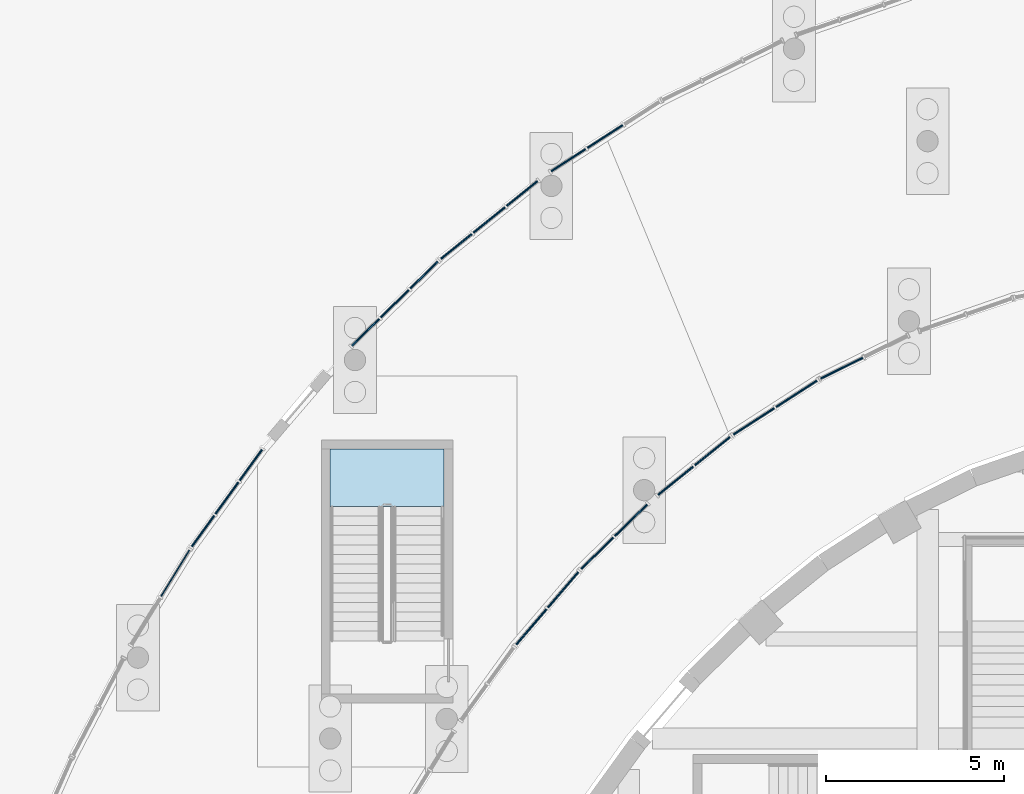
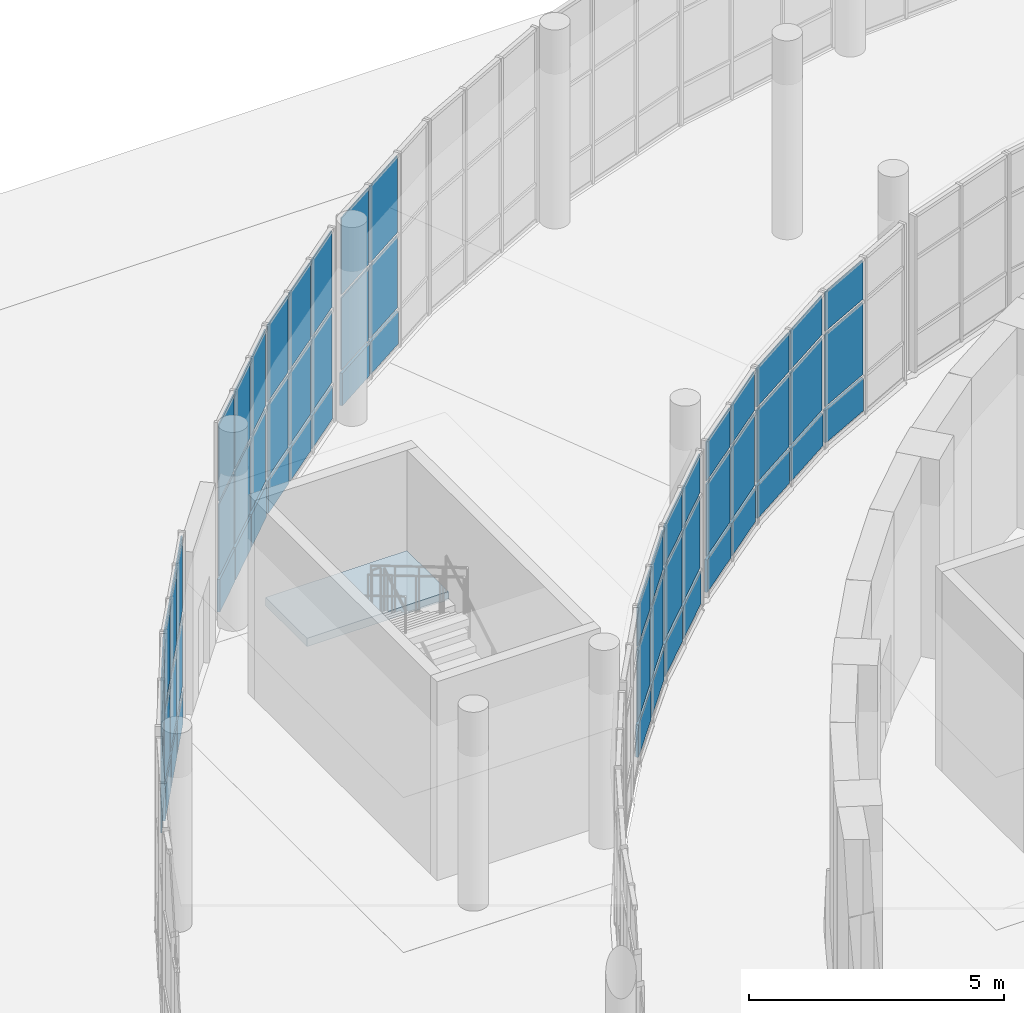
# One storey, part 48 of 110: 62 plates, 1 slab, 11 elements without a shape of their own.
"""IFC4 building model written with IfcOpenShell, lengths in metres."""

from ifc_helpers import new_model, si_unit, direction, frame, origin, origin_2d, place, context, subcontext, project, spatial, polyline, rectangle, outline, extrude, material, layer, layer_set, type_object, element, aggregate, save


model = new_model("IFC4")

# Units and contexts
model_context = context("Model", 3, precision=1e-05, world=origin(), true_north=direction((0.0, 1.0)))
body_context = subcontext(model_context, "Body", "Model", "MODEL_VIEW")
ifc_project = project(units=[si_unit("LENGTHUNIT", "METRE"), si_unit("AREAUNIT", "SQUARE_METRE"), si_unit("VOLUMEUNIT", "CUBIC_METRE"), si_unit("PLANEANGLEUNIT", "RADIAN"), si_unit("MASSUNIT", "GRAM", prefix="KILO")], contexts=[model_context])

# Site, building, storey
site_placement = place(None, origin())
site = spatial("IfcSite", under=ifc_project, at=site_placement, CompositionType="ELEMENT")
building_placement = place(site_placement, origin())
building = spatial("IfcBuilding", under=site, at=building_placement, Name="Larchfold Concert Hall", CompositionType="ELEMENT")
storey_placement = place(building_placement, origin())
storey = spatial("IfcBuildingStorey", under=building, at=storey_placement, Name="L00", CompositionType="ELEMENT", Elevation=0.0)

# Curtain wall, plates
ifc_material_1 = material(Name="Anodised graphite aluminium curtain wall", Category="aluminium")
ifc_layer_1 = layer(ifc_material_1, 0.14990234375)
ifc_layer_set_1 = layer_set([ifc_layer_1], Name="Anodised graphite aluminium curtain wall")
curtain_wall_type = type_object("IfcCurtainWallType", Name="Curtain wall WG", PredefinedType="NOTDEFINED", material=ifc_layer_set_1)
curtain_wall_1_placement = place(storey_placement, origin())
curtain_wall_1 = element("IfcCurtainWall", 1, at=curtain_wall_1_placement, inside=storey, type_object=curtain_wall_type, Name="Curtain wall CW0082", PredefinedType="NOTDEFINED")
ifc_material_2 = material(Name="Insulated glazing unit, glass", Category="glass")
ifc_layer_2 = layer(ifc_material_2, 0.028076171875)
ifc_layer_set_2 = layer_set([ifc_layer_2], Name="Insulated glazing unit, glass")
plate_type_1 = type_object("IfcPlateType", Name="Glass panel 28", PredefinedType="CURTAIN_PANEL", material=ifc_layer_set_2)
plate_1_placement = place(storey_placement, frame((23.057861328125, 112.9404296875, 0.93994140625), z_axis=(0.0, 0.0, 1.0), x_axis=(0.650511975245, 0.759495997398, 0.0)))
plate_1 = element("IfcPlate", 2, at=plate_1_placement, type_object=plate_type_1, Name="CW0082 panel 1.2", PredefinedType="CURTAIN_PANEL", context=body_context, shape_type="SweptSolid", body=[
    extrude(rectangle(XDim=1.3134765625, YDim=0.028076171875, at=origin_2d()), origin(), (0.0, 0.0, 1.0), 1.719970703125),
])
plate_2_placement = place(storey_placement, frame((23.057861328125, 112.9404296875, 2.740234375), z_axis=(0.0, 0.0, 1.0), x_axis=(0.650511975245, 0.759495997398, 0.0)))
plate_2 = element("IfcPlate", 3, at=plate_2_placement, type_object=plate_type_1, Name="CW0082 panel 1.3", PredefinedType="CURTAIN_PANEL", context=body_context, shape_type="SweptSolid", body=[
    extrude(rectangle(XDim=1.3134765625, YDim=0.028076171875, at=origin_2d()), origin(), (0.0, 0.0, 1.0), 0.929931640625),
])
plate_3_placement = place(storey_placement, frame((23.951171875, 113.9833984375, 0.93994140625), z_axis=(0.0, 0.0, 1.0), x_axis=(0.650511975245, 0.759495997398, 0.0)))
plate_3 = element("IfcPlate", 4, at=plate_3_placement, type_object=plate_type_1, Name="CW0082 panel 2.2", PredefinedType="CURTAIN_PANEL", context=body_context, shape_type="SweptSolid", body=[
    extrude(rectangle(XDim=1.3134765625, YDim=0.028076171875, at=origin_2d()), origin(), (0.0, 0.0, 1.0), 1.719970703125),
])
plate_4_placement = place(storey_placement, frame((23.951171875, 113.9833984375, 2.740234375), z_axis=(0.0, 0.0, 1.0), x_axis=(0.650511975245, 0.759495997398, 0.0)))
plate_4 = element("IfcPlate", 5, at=plate_4_placement, type_object=plate_type_1, Name="CW0082 panel 2.3", PredefinedType="CURTAIN_PANEL", context=body_context, shape_type="SweptSolid", body=[
    extrude(rectangle(XDim=1.3134765625, YDim=0.028076171875, at=origin_2d()), origin(), (0.0, 0.0, 1.0), 0.929931640625),
])

curtain_wall_2_placement = place(storey_placement, origin())
curtain_wall_2 = element("IfcCurtainWall", 6, at=curtain_wall_2_placement, inside=storey, type_object=curtain_wall_type, Name="Curtain wall CW0083", PredefinedType="NOTDEFINED")
plate_5_placement = place(storey_placement, frame((24.912841796875, 115.01220703125, 0.93994140625), z_axis=(0.0, 0.0, 1.0), x_axis=(0.715031677223, 0.69909205443, 0.0)))
plate_5 = element("IfcPlate", 7, at=plate_5_placement, type_object=plate_type_1, Name="CW0083 panel 1.2", PredefinedType="CURTAIN_PANEL", context=body_context, shape_type="SweptSolid", body=[
    extrude(rectangle(XDim=1.265625, YDim=0.028076171875, at=origin_2d()), origin(), (0.0, 0.0, 1.0), 1.719970703125),
])
plate_6_placement = place(storey_placement, frame((24.912841796875, 115.01220703125, 2.740234375), z_axis=(0.0, 0.0, 1.0), x_axis=(0.715031677223, 0.69909205443, 0.0)))
plate_6 = element("IfcPlate", 8, at=plate_6_placement, type_object=plate_type_1, Name="CW0083 panel 1.3", PredefinedType="CURTAIN_PANEL", context=body_context, shape_type="SweptSolid", body=[
    extrude(rectangle(XDim=1.265625, YDim=0.028076171875, at=origin_2d()), origin(), (0.0, 0.0, 1.0), 0.929931640625),
])
plate_7_placement = place(storey_placement, frame((25.860595703125, 115.938720703125, 0.93994140625), z_axis=(0.0, 0.0, 1.0), x_axis=(0.715031677223, 0.69909205443, 0.0)))
plate_7 = element("IfcPlate", 9, at=plate_7_placement, type_object=plate_type_1, Name="CW0083 panel 2.2", PredefinedType="CURTAIN_PANEL", context=body_context, shape_type="SweptSolid", body=[
    extrude(rectangle(XDim=1.265625, YDim=0.028076171875, at=origin_2d()), origin(), (0.0, 0.0, 1.0), 1.719970703125),
])
plate_8_placement = place(storey_placement, frame((25.860595703125, 115.938720703125, 2.740234375), z_axis=(0.0, 0.0, 1.0), x_axis=(0.715031677223, 0.69909205443, 0.0)))
plate_8 = element("IfcPlate", 10, at=plate_8_placement, type_object=plate_type_1, Name="CW0083 panel 2.3", PredefinedType="CURTAIN_PANEL", context=body_context, shape_type="SweptSolid", body=[
    extrude(rectangle(XDim=1.265625, YDim=0.028076171875, at=origin_2d()), origin(), (0.0, 0.0, 1.0), 0.929931640625),
])

curtain_wall_3_placement = place(storey_placement, origin())
curtain_wall_3 = element("IfcCurtainWall", 11, at=curtain_wall_3_placement, inside=storey, type_object=curtain_wall_type, Name="Curtain wall CW0084", PredefinedType="NOTDEFINED")
plate_9_placement = place(storey_placement, frame((27.11376953125, 117.04931640625, 0.93994140625), z_axis=(0.0, 0.0, 1.0), x_axis=(0.779068419245, 0.626938911007, 0.0)))
plate_9 = element("IfcPlate", 12, at=plate_9_placement, type_object=plate_type_1, Name="CW0084 panel 1.2", PredefinedType="CURTAIN_PANEL", context=body_context, shape_type="SweptSolid", body=[
    extrude(rectangle(XDim=1.2685546875, YDim=0.028076171875, at=origin_2d()), origin(), (0.0, 0.0, 1.0), 1.719970703125),
])
plate_10_placement = place(storey_placement, frame((27.11376953125, 117.04931640625, 2.740234375), z_axis=(0.0, 0.0, 1.0), x_axis=(0.779068419245, 0.626938911007, 0.0)))
plate_10 = element("IfcPlate", 13, at=plate_10_placement, type_object=plate_type_1, Name="CW0084 panel 1.3", PredefinedType="CURTAIN_PANEL", context=body_context, shape_type="SweptSolid", body=[
    extrude(rectangle(XDim=1.2685546875, YDim=0.028076171875, at=origin_2d()), origin(), (0.0, 0.0, 1.0), 0.929931640625),
])
plate_11_placement = place(storey_placement, frame((28.14892578125, 117.882080078125, 0.93994140625), z_axis=(0.0, 0.0, 1.0), x_axis=(0.779068419245, 0.626938911007, 0.0)))
plate_11 = element("IfcPlate", 14, at=plate_11_placement, type_object=plate_type_1, Name="CW0084 panel 2.2", PredefinedType="CURTAIN_PANEL", context=body_context, shape_type="SweptSolid", body=[
    extrude(rectangle(XDim=1.2685546875, YDim=0.028076171875, at=origin_2d()), origin(), (0.0, 0.0, 1.0), 1.719970703125),
])
plate_12_placement = place(storey_placement, frame((28.14892578125, 117.882080078125, 2.740234375), z_axis=(0.0, 0.0, 1.0), x_axis=(0.779068419245, 0.626938911007, 0.0)))
plate_12 = element("IfcPlate", 15, at=plate_12_placement, type_object=plate_type_1, Name="CW0084 panel 2.3", PredefinedType="CURTAIN_PANEL", context=body_context, shape_type="SweptSolid", body=[
    extrude(rectangle(XDim=1.2685546875, YDim=0.028076171875, at=origin_2d()), origin(), (0.0, 0.0, 1.0), 0.929931640625),
])

curtain_wall_4_placement = place(storey_placement, origin())
curtain_wall_4 = element("IfcCurtainWall", 16, at=curtain_wall_4_placement, inside=storey, type_object=curtain_wall_type, Name="Curtain wall CW0085", PredefinedType="NOTDEFINED")
plate_13_placement = place(storey_placement, frame((29.31494140625, 118.720458984375, 0.93994140625), z_axis=(0.0, 0.0, 1.0), x_axis=(0.840478683813, 0.541844610619, 0.0)))
plate_13 = element("IfcPlate", 17, at=plate_13_placement, type_object=plate_type_1, Name="CW0085 panel 1.2", PredefinedType="CURTAIN_PANEL", context=body_context, shape_type="SweptSolid", body=[
    extrude(rectangle(XDim=1.3681640625, YDim=0.028076171875, at=origin_2d()), origin(), (0.0, 0.0, 1.0), 1.719970703125),
])
plate_14_placement = place(storey_placement, frame((29.31494140625, 118.720458984375, 2.740234375), z_axis=(0.0, 0.0, 1.0), x_axis=(0.840478683813, 0.541844610619, 0.0)))
plate_14 = element("IfcPlate", 18, at=plate_14_placement, type_object=plate_type_1, Name="CW0085 panel 1.3", PredefinedType="CURTAIN_PANEL", context=body_context, shape_type="SweptSolid", body=[
    extrude(rectangle(XDim=1.3681640625, YDim=0.028076171875, at=origin_2d()), origin(), (0.0, 0.0, 1.0), 0.929931640625),
])
plate_15_placement = place(storey_placement, frame((30.515380859375, 119.494384765625, 0.93994140625), z_axis=(0.0, 0.0, 1.0), x_axis=(0.840478683813, 0.541844610619, 0.0)))
plate_15 = element("IfcPlate", 19, at=plate_15_placement, type_object=plate_type_1, Name="CW0085 panel 2.2", PredefinedType="CURTAIN_PANEL", context=body_context, shape_type="SweptSolid", body=[
    extrude(rectangle(XDim=1.3681640625, YDim=0.028076171875, at=origin_2d()), origin(), (0.0, 0.0, 1.0), 1.719970703125),
])
plate_16_placement = place(storey_placement, frame((30.515380859375, 119.494384765625, 2.740234375), z_axis=(0.0, 0.0, 1.0), x_axis=(0.840478683813, 0.541844610619, 0.0)))
plate_16 = element("IfcPlate", 20, at=plate_16_placement, type_object=plate_type_1, Name="CW0085 panel 2.3", PredefinedType="CURTAIN_PANEL", context=body_context, shape_type="SweptSolid", body=[
    extrude(rectangle(XDim=1.3681640625, YDim=0.028076171875, at=origin_2d()), origin(), (0.0, 0.0, 1.0), 0.929931640625),
])

curtain_wall_5_placement = place(storey_placement, origin())
curtain_wall_5 = element("IfcCurtainWall", 21, at=curtain_wall_5_placement, inside=storey, type_object=curtain_wall_type, Name="Curtain wall CW0086", PredefinedType="NOTDEFINED")
plate_17_placement = place(storey_placement, frame((31.788330078125, 120.216796875, 0.93994140625), z_axis=(0.0, 0.0, 1.0), x_axis=(0.896864773907, 0.442304846598, 0.0)))
plate_17 = element("IfcPlate", 22, at=plate_17_placement, type_object=plate_type_1, Name="CW0086 panel 1.2", PredefinedType="CURTAIN_PANEL", context=body_context, shape_type="SweptSolid", body=[
    extrude(rectangle(XDim=1.324462890625, YDim=0.028076171875, at=origin_2d()), origin(), (0.0, 0.0, 1.0), 1.719970703125),
])
plate_18_placement = place(storey_placement, frame((31.788330078125, 120.216796875, 2.740234375), z_axis=(0.0, 0.0, 1.0), x_axis=(0.896864773907, 0.442304846598, 0.0)))
plate_18 = element("IfcPlate", 23, at=plate_18_placement, type_object=plate_type_1, Name="CW0086 panel 1.3", PredefinedType="CURTAIN_PANEL", context=body_context, shape_type="SweptSolid", body=[
    extrude(rectangle(XDim=1.324462890625, YDim=0.028076171875, at=origin_2d()), origin(), (0.0, 0.0, 1.0), 0.929931640625),
])

curtain_wall_6_placement = place(storey_placement, origin())
curtain_wall_6 = element("IfcCurtainWall", 24, at=curtain_wall_6_placement, inside=storey, type_object=curtain_wall_type, Name="Curtain wall CW0105", PredefinedType="NOTDEFINED")
plate_19_placement = place(storey_placement, frame((25.130126953125, 126.730712890625, 0.93994140625), z_axis=(0.0, 0.0, 1.0), x_axis=(-0.840531289651, -0.541763002722, 0.0)))
plate_19 = element("IfcPlate", 25, at=plate_19_placement, type_object=plate_type_1, Name="CW0105 panel 2.2", PredefinedType="CURTAIN_PANEL", context=body_context, shape_type="SweptSolid", body=[
    extrude(rectangle(XDim=1.18310546875, YDim=0.028076171875, at=origin_2d()), origin(), (0.0, 0.0, 1.0), 1.719970703125),
])
plate_20_placement = place(storey_placement, frame((25.130126953125, 126.730712890625, 2.740234375), z_axis=(0.0, 0.0, 1.0), x_axis=(-0.840531289651, -0.541763002722, 0.0)))
plate_20 = element("IfcPlate", 26, at=plate_20_placement, type_object=plate_type_1, Name="CW0105 panel 2.3", PredefinedType="CURTAIN_PANEL", context=body_context, shape_type="SweptSolid", body=[
    extrude(rectangle(XDim=1.18310546875, YDim=0.028076171875, at=origin_2d()), origin(), (0.0, 0.0, 1.0), 1.829833984375),
])
plate_21_placement = place(storey_placement, frame((24.097900390625, 126.0654296875, 0.93994140625), z_axis=(0.0, 0.0, 1.0), x_axis=(-0.840531289651, -0.541763002722, 0.0)))
plate_21 = element("IfcPlate", 27, at=plate_21_placement, type_object=plate_type_1, Name="CW0105 panel 3.2", PredefinedType="CURTAIN_PANEL", context=body_context, shape_type="SweptSolid", body=[
    extrude(rectangle(XDim=1.153076171875, YDim=0.028076171875, at=origin_2d()), origin(), (0.0, 0.0, 1.0), 1.719970703125),
])
plate_22_placement = place(storey_placement, frame((24.097900390625, 126.0654296875, 2.740234375), z_axis=(0.0, 0.0, 1.0), x_axis=(-0.840531289651, -0.541763002722, 0.0)))
plate_22 = element("IfcPlate", 28, at=plate_22_placement, type_object=plate_type_1, Name="CW0105 panel 3.3", PredefinedType="CURTAIN_PANEL", context=body_context, shape_type="SweptSolid", body=[
    extrude(rectangle(XDim=1.153076171875, YDim=0.028076171875, at=origin_2d()), origin(), (0.0, 0.0, 1.0), 1.829833984375),
])

curtain_wall_7_placement = place(storey_placement, origin())
curtain_wall_7 = element("IfcCurtainWall", 29, at=curtain_wall_7_placement, inside=storey, type_object=curtain_wall_type, Name="Curtain wall CW0106", PredefinedType="NOTDEFINED")
plate_23_placement = place(storey_placement, frame((22.79736328125, 125.1279296875, 0.93994140625), z_axis=(0.0, 0.0, 1.0), x_axis=(-0.779030225774, -0.626986369334, 0.0)))
plate_23 = element("IfcPlate", 30, at=plate_23_placement, type_object=plate_type_1, Name="CW0106 panel 1.2", PredefinedType="CURTAIN_PANEL", context=body_context, shape_type="SweptSolid", body=[
    extrude(rectangle(XDim=1.11279296875, YDim=0.028076171875, at=origin_2d()), origin(), (0.0, 0.0, 1.0), 1.719970703125),
])
plate_24_placement = place(storey_placement, frame((22.79736328125, 125.1279296875, 2.740234375), z_axis=(0.0, 0.0, 1.0), x_axis=(-0.779030225774, -0.626986369334, 0.0)))
plate_24 = element("IfcPlate", 31, at=plate_24_placement, type_object=plate_type_1, Name="CW0106 panel 1.3", PredefinedType="CURTAIN_PANEL", context=body_context, shape_type="SweptSolid", body=[
    extrude(rectangle(XDim=1.11279296875, YDim=0.028076171875, at=origin_2d()), origin(), (0.0, 0.0, 1.0), 1.829833984375),
])
plate_25_placement = place(storey_placement, frame((21.872314453125, 124.38330078125, 0.93994140625), z_axis=(0.0, 0.0, 1.0), x_axis=(-0.779030225774, -0.626986369334, 0.0)))
plate_25 = element("IfcPlate", 32, at=plate_25_placement, type_object=plate_type_1, Name="CW0106 panel 2.2", PredefinedType="CURTAIN_PANEL", context=body_context, shape_type="SweptSolid", body=[
    extrude(rectangle(XDim=1.142578125, YDim=0.028076171875, at=origin_2d()), origin(), (0.0, 0.0, 1.0), 1.719970703125),
])
plate_26_placement = place(storey_placement, frame((21.872314453125, 124.38330078125, 2.740234375), z_axis=(0.0, 0.0, 1.0), x_axis=(-0.779030225774, -0.626986369334, 0.0)))
plate_26 = element("IfcPlate", 33, at=plate_26_placement, type_object=plate_type_1, Name="CW0106 panel 2.3", PredefinedType="CURTAIN_PANEL", context=body_context, shape_type="SweptSolid", body=[
    extrude(rectangle(XDim=1.142578125, YDim=0.028076171875, at=origin_2d()), origin(), (0.0, 0.0, 1.0), 1.829833984375),
])
plate_27_placement = place(storey_placement, frame((20.947021484375, 123.638671875, 0.93994140625), z_axis=(0.0, 0.0, 1.0), x_axis=(-0.779030225774, -0.626986369334, 0.0)))
plate_27 = element("IfcPlate", 34, at=plate_27_placement, type_object=plate_type_1, Name="CW0106 panel 3.2", PredefinedType="CURTAIN_PANEL", context=body_context, shape_type="SweptSolid", body=[
    extrude(rectangle(XDim=1.11279296875, YDim=0.028076171875, at=origin_2d()), origin(), (0.0, 0.0, 1.0), 1.719970703125),
])
plate_28_placement = place(storey_placement, frame((20.947021484375, 123.638671875, 2.740234375), z_axis=(0.0, 0.0, 1.0), x_axis=(-0.779030225774, -0.626986369334, 0.0)))
plate_28 = element("IfcPlate", 35, at=plate_28_placement, type_object=plate_type_1, Name="CW0106 panel 3.3", PredefinedType="CURTAIN_PANEL", context=body_context, shape_type="SweptSolid", body=[
    extrude(rectangle(XDim=1.11279296875, YDim=0.028076171875, at=origin_2d()), origin(), (0.0, 0.0, 1.0), 1.829833984375),
])

curtain_wall_8_placement = place(storey_placement, origin())
curtain_wall_8 = element("IfcCurtainWall", 36, at=curtain_wall_8_placement, inside=storey, type_object=curtain_wall_type, Name="Curtain wall CW0107", PredefinedType="NOTDEFINED")
plate_29_placement = place(storey_placement, frame((20.0390625, 122.833984375, 0.93994140625), z_axis=(0.0, 0.0, 1.0), x_axis=(-0.714946988038, -0.699178664074, 0.0)))
plate_29 = element("IfcPlate", 37, at=plate_29_placement, type_object=plate_type_1, Name="CW0107 panel 1.2", PredefinedType="CURTAIN_PANEL", context=body_context, shape_type="SweptSolid", body=[
    extrude(rectangle(XDim=1.076416015625, YDim=0.028076171875, at=origin_2d()), origin(), (0.0, 0.0, 1.0), 1.719970703125),
])
plate_30_placement = place(storey_placement, frame((20.0390625, 122.833984375, 2.740234375), z_axis=(0.0, 0.0, 1.0), x_axis=(-0.714946988038, -0.699178664074, 0.0)))
plate_30 = element("IfcPlate", 38, at=plate_30_placement, type_object=plate_type_1, Name="CW0107 panel 1.3", PredefinedType="CURTAIN_PANEL", context=body_context, shape_type="SweptSolid", body=[
    extrude(rectangle(XDim=1.076416015625, YDim=0.028076171875, at=origin_2d()), origin(), (0.0, 0.0, 1.0), 1.829833984375),
])
plate_31_placement = place(storey_placement, frame((19.216064453125, 122.02880859375, 0.93994140625), z_axis=(0.0, 0.0, 1.0), x_axis=(-0.714946988038, -0.699178664074, 0.0)))
plate_31 = element("IfcPlate", 39, at=plate_31_placement, type_object=plate_type_1, Name="CW0107 panel 2.2", PredefinedType="CURTAIN_PANEL", context=body_context, shape_type="SweptSolid", body=[
    extrude(rectangle(XDim=1.1064453125, YDim=0.028076171875, at=origin_2d()), origin(), (0.0, 0.0, 1.0), 1.719970703125),
])
plate_32_placement = place(storey_placement, frame((19.216064453125, 122.02880859375, 2.740234375), z_axis=(0.0, 0.0, 1.0), x_axis=(-0.714946988038, -0.699178664074, 0.0)))
plate_32 = element("IfcPlate", 40, at=plate_32_placement, type_object=plate_type_1, Name="CW0107 panel 2.3", PredefinedType="CURTAIN_PANEL", context=body_context, shape_type="SweptSolid", body=[
    extrude(rectangle(XDim=1.1064453125, YDim=0.028076171875, at=origin_2d()), origin(), (0.0, 0.0, 1.0), 1.829833984375),
])
plate_33_placement = place(storey_placement, frame((18.392822265625, 121.223876953125, 0.93994140625), z_axis=(0.0, 0.0, 1.0), x_axis=(-0.714946988038, -0.699178664074, 0.0)))
plate_33 = element("IfcPlate", 41, at=plate_33_placement, type_object=plate_type_1, Name="CW0107 panel 3.2", PredefinedType="CURTAIN_PANEL", context=body_context, shape_type="SweptSolid", body=[
    extrude(rectangle(XDim=1.076416015625, YDim=0.028076171875, at=origin_2d()), origin(), (0.0, 0.0, 1.0), 1.719970703125),
])
plate_34_placement = place(storey_placement, frame((18.392822265625, 121.223876953125, 2.740234375), z_axis=(0.0, 0.0, 1.0), x_axis=(-0.714946988038, -0.699178664074, 0.0)))
plate_34 = element("IfcPlate", 42, at=plate_34_placement, type_object=plate_type_1, Name="CW0107 panel 3.3", PredefinedType="CURTAIN_PANEL", context=body_context, shape_type="SweptSolid", body=[
    extrude(rectangle(XDim=1.076416015625, YDim=0.028076171875, at=origin_2d()), origin(), (0.0, 0.0, 1.0), 1.829833984375),
])

curtain_wall_9_placement = place(storey_placement, origin())
curtain_wall_9 = element("IfcCurtainWall", 43, at=curtain_wall_9_placement, inside=storey, type_object=curtain_wall_type, Name="Curtain wall CW0108", PredefinedType="NOTDEFINED")
plate_35_placement = place(storey_placement, frame((15.16845703125, 117.489990234375, 0.93994140625), z_axis=(0.0, 0.0, 1.0), x_axis=(-0.586641382541, -0.809846830142, 0.0)))
plate_35 = element("IfcPlate", 44, at=plate_35_placement, type_object=plate_type_1, Name="CW0108 panel 1.2", PredefinedType="CURTAIN_PANEL", context=body_context, shape_type="SweptSolid", body=[
    extrude(rectangle(XDim=1.0712890625, YDim=0.028076171875, at=origin_2d()), origin(), (0.0, 0.0, 1.0), 1.719970703125),
])
plate_36_placement = place(storey_placement, frame((15.16845703125, 117.489990234375, 2.740234375), z_axis=(0.0, 0.0, 1.0), x_axis=(-0.586641382541, -0.809846830142, 0.0)))
plate_36 = element("IfcPlate", 45, at=plate_36_placement, type_object=plate_type_1, Name="CW0108 panel 1.3", PredefinedType="CURTAIN_PANEL", context=body_context, shape_type="SweptSolid", body=[
    extrude(rectangle(XDim=1.0712890625, YDim=0.028076171875, at=origin_2d()), origin(), (0.0, 0.0, 1.0), 1.829833984375),
])
plate_37_placement = place(storey_placement, frame((14.49609375, 116.561767578125, 0.93994140625), z_axis=(0.0, 0.0, 1.0), x_axis=(-0.586641382541, -0.809846830142, 0.0)))
plate_37 = element("IfcPlate", 46, at=plate_37_placement, type_object=plate_type_1, Name="CW0108 panel 2.2", PredefinedType="CURTAIN_PANEL", context=body_context, shape_type="SweptSolid", body=[
    extrude(rectangle(XDim=1.101318359375, YDim=0.028076171875, at=origin_2d()), origin(), (0.0, 0.0, 1.0), 1.719970703125),
])
plate_38_placement = place(storey_placement, frame((14.49609375, 116.561767578125, 2.740234375), z_axis=(0.0, 0.0, 1.0), x_axis=(-0.586641382541, -0.809846830142, 0.0)))
plate_38 = element("IfcPlate", 47, at=plate_38_placement, type_object=plate_type_1, Name="CW0108 panel 2.3", PredefinedType="CURTAIN_PANEL", context=body_context, shape_type="SweptSolid", body=[
    extrude(rectangle(XDim=1.101318359375, YDim=0.028076171875, at=origin_2d()), origin(), (0.0, 0.0, 1.0), 1.829833984375),
])
plate_39_placement = place(storey_placement, frame((13.823486328125, 115.633544921875, 0.93994140625), z_axis=(0.0, 0.0, 1.0), x_axis=(-0.586641382541, -0.809846830142, 0.0)))
plate_39 = element("IfcPlate", 48, at=plate_39_placement, type_object=plate_type_1, Name="CW0108 panel 3.2", PredefinedType="CURTAIN_PANEL", context=body_context, shape_type="SweptSolid", body=[
    extrude(rectangle(XDim=1.0712890625, YDim=0.028076171875, at=origin_2d()), origin(), (0.0, 0.0, 1.0), 1.719970703125),
])
plate_40_placement = place(storey_placement, frame((13.823486328125, 115.633544921875, 2.740234375), z_axis=(0.0, 0.0, 1.0), x_axis=(-0.586641382541, -0.809846830142, 0.0)))
plate_40 = element("IfcPlate", 49, at=plate_40_placement, type_object=plate_type_1, Name="CW0108 panel 3.3", PredefinedType="CURTAIN_PANEL", context=body_context, shape_type="SweptSolid", body=[
    extrude(rectangle(XDim=1.0712890625, YDim=0.028076171875, at=origin_2d()), origin(), (0.0, 0.0, 1.0), 1.829833984375),
])

curtain_wall_10_placement = place(storey_placement, origin())
curtain_wall_10 = element("IfcCurtainWall", 50, at=curtain_wall_10_placement, inside=storey, type_object=curtain_wall_type, Name="Curtain wall CW0109", PredefinedType="NOTDEFINED")
plate_41_placement = place(storey_placement, frame((13.042236328125, 114.44921875, 0.93994140625), z_axis=(0.0, 0.0, 1.0), x_axis=(-0.524080591715, -0.851668675828, 0.0)))
plate_41 = element("IfcPlate", 51, at=plate_41_placement, type_object=plate_type_1, Name="CW0109 panel 1.2", PredefinedType="CURTAIN_PANEL", context=body_context, shape_type="SweptSolid", body=[
    extrude(rectangle(XDim=1.5283203125, YDim=0.028076171875, at=origin_2d()), origin(), (0.0, 0.0, 1.0), 1.719970703125),
])
plate_42_placement = place(storey_placement, frame((13.042236328125, 114.44921875, 2.740234375), z_axis=(0.0, 0.0, 1.0), x_axis=(-0.524080591715, -0.851668675828, 0.0)))
plate_42 = element("IfcPlate", 52, at=plate_42_placement, type_object=plate_type_1, Name="CW0109 panel 1.3", PredefinedType="CURTAIN_PANEL", context=body_context, shape_type="SweptSolid", body=[
    extrude(rectangle(XDim=1.5283203125, YDim=0.028076171875, at=origin_2d()), origin(), (0.0, 0.0, 1.0), 1.829833984375),
])
aggregate(curtain_wall_10, [plate_41, plate_42])

# Plate
ifc_material_3 = material(Name="White insulated panel")
ifc_layer_3 = layer(ifc_material_3, 0.06005859375)
ifc_layer_set_3 = layer_set([ifc_layer_3], Name="White insulated panel")
plate_type_2 = type_object("IfcPlateType", Name="Insulated spandrel panel 60", PredefinedType="CURTAIN_PANEL", material=ifc_layer_set_3)
plate_43_placement = place(storey_placement, frame((23.057861328125, 112.9404296875, 0.080078125), z_axis=(0.0, 0.0, 1.0), x_axis=(0.650511975245, 0.759495997398, 0.0)))
plate_43 = element("IfcPlate", 53, at=plate_43_placement, type_object=plate_type_2, Name="CW0082 panel 1.1", PredefinedType="CURTAIN_PANEL", context=body_context, shape_type="SweptSolid", body=[
    extrude(rectangle(XDim=1.3134765625, YDim=0.06005859375, at=origin_2d()), origin(), (0.0, 0.0, 1.0), 0.77978515625),
])

plate_44_placement = place(storey_placement, frame((23.951171875, 113.9833984375, 0.080078125), z_axis=(0.0, 0.0, 1.0), x_axis=(0.650511975245, 0.759495997398, 0.0)))
plate_44 = element("IfcPlate", 54, at=plate_44_placement, type_object=plate_type_2, Name="CW0082 panel 2.1", PredefinedType="CURTAIN_PANEL", context=body_context, shape_type="SweptSolid", body=[
    extrude(rectangle(XDim=1.3134765625, YDim=0.06005859375, at=origin_2d()), origin(), (0.0, 0.0, 1.0), 0.77978515625),
])

aggregate(curtain_wall_1, [plate_43, plate_1, plate_2, plate_44, plate_3, plate_4])

plate_45_placement = place(storey_placement, frame((24.912841796875, 115.01220703125, 0.080078125), z_axis=(0.0, 0.0, 1.0), x_axis=(0.715031677223, 0.69909205443, 0.0)))
plate_45 = element("IfcPlate", 55, at=plate_45_placement, type_object=plate_type_2, Name="CW0083 panel 1.1", PredefinedType="CURTAIN_PANEL", context=body_context, shape_type="SweptSolid", body=[
    extrude(rectangle(XDim=1.265625, YDim=0.06005859375, at=origin_2d()), origin(), (0.0, 0.0, 1.0), 0.77978515625),
])

plate_46_placement = place(storey_placement, frame((25.860595703125, 115.938720703125, 0.080078125), z_axis=(0.0, 0.0, 1.0), x_axis=(0.715031677223, 0.69909205443, 0.0)))
plate_46 = element("IfcPlate", 56, at=plate_46_placement, type_object=plate_type_2, Name="CW0083 panel 2.1", PredefinedType="CURTAIN_PANEL", context=body_context, shape_type="SweptSolid", body=[
    extrude(rectangle(XDim=1.265625, YDim=0.06005859375, at=origin_2d()), origin(), (0.0, 0.0, 1.0), 0.77978515625),
])

aggregate(curtain_wall_2, [plate_45, plate_5, plate_6, plate_46, plate_7, plate_8])

plate_47_placement = place(storey_placement, frame((27.11376953125, 117.04931640625, 0.080078125), z_axis=(0.0, 0.0, 1.0), x_axis=(0.779068419245, 0.626938911007, 0.0)))
plate_47 = element("IfcPlate", 57, at=plate_47_placement, type_object=plate_type_2, Name="CW0084 panel 1.1", PredefinedType="CURTAIN_PANEL", context=body_context, shape_type="SweptSolid", body=[
    extrude(rectangle(XDim=1.2685546875, YDim=0.06005859375, at=origin_2d()), origin(), (0.0, 0.0, 1.0), 0.77978515625),
])

plate_48_placement = place(storey_placement, frame((28.14892578125, 117.882080078125, 0.080078125), z_axis=(0.0, 0.0, 1.0), x_axis=(0.779068419245, 0.626938911007, 0.0)))
plate_48 = element("IfcPlate", 58, at=plate_48_placement, type_object=plate_type_2, Name="CW0084 panel 2.1", PredefinedType="CURTAIN_PANEL", context=body_context, shape_type="SweptSolid", body=[
    extrude(rectangle(XDim=1.2685546875, YDim=0.06005859375, at=origin_2d()), origin(), (0.0, 0.0, 1.0), 0.77978515625),
])

aggregate(curtain_wall_3, [plate_47, plate_9, plate_10, plate_48, plate_11, plate_12])

plate_49_placement = place(storey_placement, frame((29.31494140625, 118.720458984375, 0.080078125), z_axis=(0.0, 0.0, 1.0), x_axis=(0.840478683813, 0.541844610619, 0.0)))
plate_49 = element("IfcPlate", 59, at=plate_49_placement, type_object=plate_type_2, Name="CW0085 panel 1.1", PredefinedType="CURTAIN_PANEL", context=body_context, shape_type="SweptSolid", body=[
    extrude(rectangle(XDim=1.3681640625, YDim=0.06005859375, at=origin_2d()), origin(), (0.0, 0.0, 1.0), 0.77978515625),
])

plate_50_placement = place(storey_placement, frame((30.515380859375, 119.494384765625, 0.080078125), z_axis=(0.0, 0.0, 1.0), x_axis=(0.840478683813, 0.541844610619, 0.0)))
plate_50 = element("IfcPlate", 60, at=plate_50_placement, type_object=plate_type_2, Name="CW0085 panel 2.1", PredefinedType="CURTAIN_PANEL", context=body_context, shape_type="SweptSolid", body=[
    extrude(rectangle(XDim=1.3681640625, YDim=0.06005859375, at=origin_2d()), origin(), (0.0, 0.0, 1.0), 0.77978515625),
])

aggregate(curtain_wall_4, [plate_49, plate_13, plate_14, plate_50, plate_15, plate_16])

plate_51_placement = place(storey_placement, frame((31.788330078125, 120.216796875, 0.080078125), z_axis=(0.0, 0.0, 1.0), x_axis=(0.896864773907, 0.442304846598, 0.0)))
plate_51 = element("IfcPlate", 61, at=plate_51_placement, type_object=plate_type_2, Name="CW0086 panel 1.1", PredefinedType="CURTAIN_PANEL", context=body_context, shape_type="SweptSolid", body=[
    extrude(rectangle(XDim=1.324462890625, YDim=0.06005859375, at=origin_2d()), origin(), (0.0, 0.0, 1.0), 0.77978515625),
])

aggregate(curtain_wall_5, [plate_51, plate_17, plate_18])

plate_52_placement = place(storey_placement, frame((25.130126953125, 126.730712890625, 0.080078125), z_axis=(0.0, 0.0, 1.0), x_axis=(-0.840531289651, -0.541763002722, 0.0)))
plate_52 = element("IfcPlate", 62, at=plate_52_placement, type_object=plate_type_2, Name="CW0105 panel 2.1", PredefinedType="CURTAIN_PANEL", context=body_context, shape_type="SweptSolid", body=[
    extrude(rectangle(XDim=1.18310546875, YDim=0.06005859375, at=origin_2d()), origin(), (0.0, 0.0, 1.0), 0.77978515625),
])

plate_53_placement = place(storey_placement, frame((24.097900390625, 126.0654296875, 0.080078125), z_axis=(0.0, 0.0, 1.0), x_axis=(-0.840531289651, -0.541763002722, 0.0)))
plate_53 = element("IfcPlate", 63, at=plate_53_placement, type_object=plate_type_2, Name="CW0105 panel 3.1", PredefinedType="CURTAIN_PANEL", context=body_context, shape_type="SweptSolid", body=[
    extrude(rectangle(XDim=1.153076171875, YDim=0.06005859375, at=origin_2d()), origin(), (0.0, 0.0, 1.0), 0.77978515625),
])

aggregate(curtain_wall_6, [plate_52, plate_19, plate_20, plate_53, plate_21, plate_22])

plate_54_placement = place(storey_placement, frame((22.79736328125, 125.1279296875, 0.080078125), z_axis=(0.0, 0.0, 1.0), x_axis=(-0.779030225774, -0.626986369334, 0.0)))
plate_54 = element("IfcPlate", 64, at=plate_54_placement, type_object=plate_type_2, Name="CW0106 panel 1.1", PredefinedType="CURTAIN_PANEL", context=body_context, shape_type="SweptSolid", body=[
    extrude(rectangle(XDim=1.11279296875, YDim=0.06005859375, at=origin_2d()), origin(), (0.0, 0.0, 1.0), 0.77978515625),
])

plate_55_placement = place(storey_placement, frame((21.872314453125, 124.38330078125, 0.080078125), z_axis=(0.0, 0.0, 1.0), x_axis=(-0.779030225774, -0.626986369334, 0.0)))
plate_55 = element("IfcPlate", 65, at=plate_55_placement, type_object=plate_type_2, Name="CW0106 panel 2.1", PredefinedType="CURTAIN_PANEL", context=body_context, shape_type="SweptSolid", body=[
    extrude(rectangle(XDim=1.142578125, YDim=0.06005859375, at=origin_2d()), origin(), (0.0, 0.0, 1.0), 0.77978515625),
])

plate_56_placement = place(storey_placement, frame((20.947021484375, 123.638671875, 0.080078125), z_axis=(0.0, 0.0, 1.0), x_axis=(-0.779030225774, -0.626986369334, 0.0)))
plate_56 = element("IfcPlate", 66, at=plate_56_placement, type_object=plate_type_2, Name="CW0106 panel 3.1", PredefinedType="CURTAIN_PANEL", context=body_context, shape_type="SweptSolid", body=[
    extrude(rectangle(XDim=1.11279296875, YDim=0.06005859375, at=origin_2d()), origin(), (0.0, 0.0, 1.0), 0.77978515625),
])

aggregate(curtain_wall_7, [plate_54, plate_23, plate_24, plate_55, plate_25, plate_26, plate_56, plate_27, plate_28])

plate_57_placement = place(storey_placement, frame((20.0390625, 122.833984375, 0.080078125), z_axis=(0.0, 0.0, 1.0), x_axis=(-0.714946988038, -0.699178664074, 0.0)))
plate_57 = element("IfcPlate", 67, at=plate_57_placement, type_object=plate_type_2, Name="CW0107 panel 1.1", PredefinedType="CURTAIN_PANEL", context=body_context, shape_type="SweptSolid", body=[
    extrude(rectangle(XDim=1.076416015625, YDim=0.06005859375, at=origin_2d()), origin(), (0.0, 0.0, 1.0), 0.77978515625),
])

plate_58_placement = place(storey_placement, frame((19.216064453125, 122.02880859375, 0.080078125), z_axis=(0.0, 0.0, 1.0), x_axis=(-0.714946988038, -0.699178664074, 0.0)))
plate_58 = element("IfcPlate", 68, at=plate_58_placement, type_object=plate_type_2, Name="CW0107 panel 2.1", PredefinedType="CURTAIN_PANEL", context=body_context, shape_type="SweptSolid", body=[
    extrude(rectangle(XDim=1.1064453125, YDim=0.06005859375, at=origin_2d()), origin(), (0.0, 0.0, 1.0), 0.77978515625),
])

plate_59_placement = place(storey_placement, frame((18.392822265625, 121.223876953125, 0.080078125), z_axis=(0.0, 0.0, 1.0), x_axis=(-0.714946988038, -0.699178664074, 0.0)))
plate_59 = element("IfcPlate", 69, at=plate_59_placement, type_object=plate_type_2, Name="CW0107 panel 3.1", PredefinedType="CURTAIN_PANEL", context=body_context, shape_type="SweptSolid", body=[
    extrude(rectangle(XDim=1.076416015625, YDim=0.06005859375, at=origin_2d()), origin(), (0.0, 0.0, 1.0), 0.77978515625),
])

aggregate(curtain_wall_8, [plate_57, plate_29, plate_30, plate_58, plate_31, plate_32, plate_59, plate_33, plate_34])

plate_60_placement = place(storey_placement, frame((15.16845703125, 117.489990234375, 0.080078125), z_axis=(0.0, 0.0, 1.0), x_axis=(-0.586641382541, -0.809846830142, 0.0)))
plate_60 = element("IfcPlate", 70, at=plate_60_placement, type_object=plate_type_2, Name="CW0108 panel 1.1", PredefinedType="CURTAIN_PANEL", context=body_context, shape_type="SweptSolid", body=[
    extrude(rectangle(XDim=1.0712890625, YDim=0.06005859375, at=origin_2d()), origin(), (0.0, 0.0, 1.0), 0.77978515625),
])

plate_61_placement = place(storey_placement, frame((14.49609375, 116.561767578125, 0.080078125), z_axis=(0.0, 0.0, 1.0), x_axis=(-0.586641382541, -0.809846830142, 0.0)))
plate_61 = element("IfcPlate", 71, at=plate_61_placement, type_object=plate_type_2, Name="CW0108 panel 2.1", PredefinedType="CURTAIN_PANEL", context=body_context, shape_type="SweptSolid", body=[
    extrude(rectangle(XDim=1.101318359375, YDim=0.06005859375, at=origin_2d()), origin(), (0.0, 0.0, 1.0), 0.77978515625),
])

plate_62_placement = place(storey_placement, frame((13.823486328125, 115.633544921875, 0.080078125), z_axis=(0.0, 0.0, 1.0), x_axis=(-0.586641382541, -0.809846830142, 0.0)))
plate_62 = element("IfcPlate", 72, at=plate_62_placement, type_object=plate_type_2, Name="CW0108 panel 3.1", PredefinedType="CURTAIN_PANEL", context=body_context, shape_type="SweptSolid", body=[
    extrude(rectangle(XDim=1.0712890625, YDim=0.06005859375, at=origin_2d()), origin(), (0.0, 0.0, 1.0), 0.77978515625),
])

aggregate(curtain_wall_9, [plate_60, plate_35, plate_36, plate_61, plate_37, plate_38, plate_62, plate_39, plate_40])

# Stair, slab
ifc_material_4 = material(Name="Concrete C35/45", Category="concrete")
stair_type = type_object("IfcStairType", Name="Stair RC half-turn enclosed", PredefinedType="HALF_TURN_STAIR", material=ifc_material_4)
stair_placement = place(storey_placement, origin())
stair = element("IfcStair", 73, at=stair_placement, inside=storey, type_object=stair_type, Name="Stair WG3", PredefinedType="HALF_TURN_STAIR")
ifc_material_5 = material(Name="Concrete C35/45", Category="concrete")
ifc_layer_4 = layer(ifc_material_5, 0.199951171875)
ifc_layer_set_4 = layer_set([ifc_layer_4], Name="Concrete C35/45")
slab_type = type_object("IfcSlabType", Name="Stair landing RC 200", PredefinedType="LANDING", material=ifc_layer_set_4)
slab_placement = place(storey_placement, frame((0.0, 0.0, 2.199951171875)))
slab = element("IfcSlab", 74, at=slab_placement, type_object=slab_type, Name="ST25 landing 1", PredefinedType="LANDING", context=body_context, shape_type="SweptSolid", body=[
    extrude(outline(polyline([(20.60009765625, 116.330078125), (20.60009765625, 117.949951171875), (17.400146484375, 117.949951171875), (17.400146484375, 116.330078125), (20.60009765625, 116.330078125)])), origin(), (0.0, 0.0, 1.0), 0.199951171875),
])
aggregate(stair, [slab])

save(model, "model.ifc")
